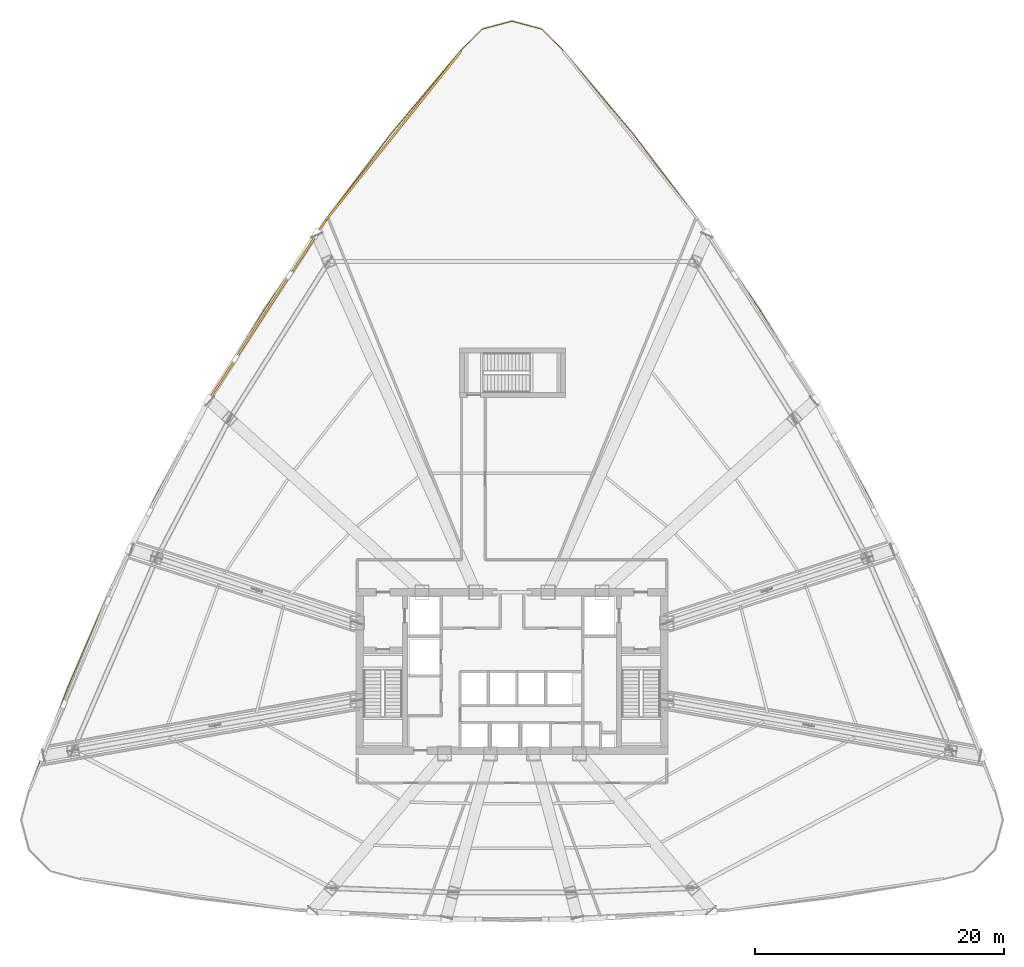
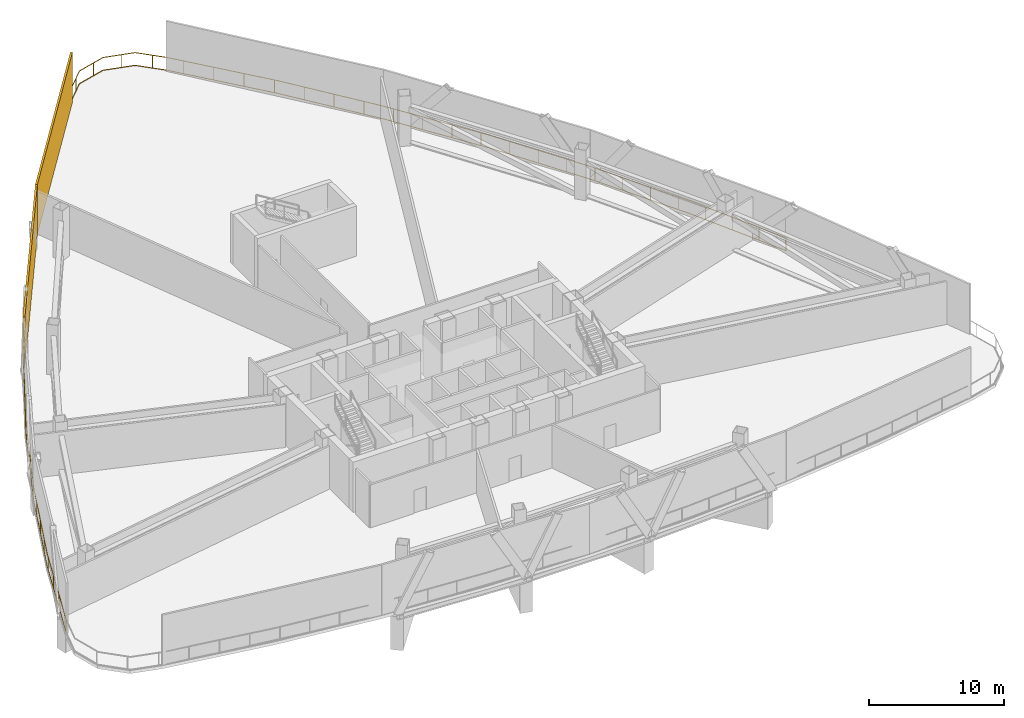
# One storey, part 15 of 17: 2 shading devices, 1 railing.
"""IFC4 building model written with IfcOpenShell, lengths in metres."""

import ifcopenshell
import ifcopenshell.guid

model = None  # the IFC model being written
_history = None  # IfcOwnerHistory: only IFC2X3 demands one
_inside = {}  # id of a spatial element -> (the spatial element, [elements in it])
_under = {}  # id of a project, library or spatial element -> (it, [spatial elements below it])
_declared = {}  # id of a project -> (the project, [libraries it declares])
_typed = {}  # id of a type object -> (the type object, [elements of that type])
_made_of = {}  # id of a material, layer set ... -> (it, [elements and type objects made of it])


def new_model(schema):
    """Start an empty IFC model of exactly this schema.

    Asked for "IFC4X3", IfcOpenShell would pick the latest addendum, in which some entities
    have other attributes; the version numbers below select the first issue.
    IFC2X3 requires an IfcOwnerHistory on every rooted entity: one is made here for all.
    """
    global model, _history
    if schema == "IFC4X3":
        model = ifcopenshell.file(schema_version=(4, 3, 0, 0))
    else:
        model = ifcopenshell.file(schema=schema)
    _inside.clear()
    _under.clear()
    _declared.clear()
    _typed.clear()
    _made_of.clear()
    _history = None
    if model.schema == "IFC2X3":
        org = make("IfcOrganization", Name="unknown")
        user = make(
            "IfcPersonAndOrganization",
            ThePerson=make("IfcPerson", FamilyName="unknown"),
            TheOrganization=org,
        )
        app = make(
            "IfcApplication",
            ApplicationDeveloper=org,
            Version="unknown",
            ApplicationFullName="unknown",
            ApplicationIdentifier="unknown",
        )
        _history = make(
            "IfcOwnerHistory",
            OwningUser=user,
            OwningApplication=app,
            ChangeAction="ADDED",
            CreationDate=0,
        )
    return model


def make(cls, **values):
    """One entity of the class cls with the attributes given. An attribute that is None is left unset."""
    return model.create_entity(
        cls, **{name: value for name, value in values.items() if value is not None}
    )


def rooted(cls, **values):
    """An entity with a GlobalId (a new one), such as an element, a storey or a relation."""
    return make(cls, GlobalId=ifcopenshell.guid.new(), OwnerHistory=_history, **values)


def si_unit(unit_type, name, prefix=None):
    """IfcSIUnit, for example si_unit("LENGTHUNIT", "METRE", prefix="MILLI")."""
    return make("IfcSIUnit", UnitType=unit_type, Prefix=prefix, Name=name)


def assignment(units):
    """IfcUnitAssignment: the units of a project."""
    return None if units is None else make("IfcUnitAssignment", Units=units)


def point(xyz):
    """IfcCartesianPoint."""
    return None if xyz is None else make("IfcCartesianPoint", Coordinates=xyz)


def direction(xyz):
    """IfcDirection."""
    return None if xyz is None else make("IfcDirection", DirectionRatios=xyz)


def frame(location, z_axis=None, x_axis=None):
    """IfcAxis2Placement3D, a coordinate frame: its origin and axes. An axis left out is left unset."""
    return make(
        "IfcAxis2Placement3D",
        Location=point(location),
        Axis=direction(z_axis),
        RefDirection=direction(x_axis),
    )


def frame_2d(location, x_axis=None):
    """IfcAxis2Placement2D, a coordinate frame in the plane: its origin and x axis."""
    return make(
        "IfcAxis2Placement2D", Location=point(location), RefDirection=direction(x_axis)
    )


def origin():
    """The frame at (0, 0, 0) with its axes left unset."""
    return frame((0.0, 0.0, 0.0))


def origin_2d():
    """The frame at (0, 0) in the plane with its x axis left unset."""
    return frame_2d((0.0, 0.0))


def place(relative_to, where):
    """IfcLocalPlacement: puts the frame where relative to a parent placement (None: the world)."""
    return make(
        "IfcLocalPlacement", PlacementRelTo=relative_to, RelativePlacement=where
    )


def context(
    kind, dimensions, precision=None, world=None, true_north=None, identifier=None
):
    """IfcGeometricRepresentationContext, for example the 3D "Model" context."""
    return make(
        "IfcGeometricRepresentationContext",
        ContextIdentifier=identifier,
        ContextType=kind,
        CoordinateSpaceDimension=dimensions,
        Precision=precision,
        WorldCoordinateSystem=world,
        TrueNorth=true_north,
    )


def subcontext(parent, identifier, kind, view, scale=None):
    """IfcGeometricRepresentationSubContext, for example "Body" below "Model"."""
    return make(
        "IfcGeometricRepresentationSubContext",
        ContextIdentifier=identifier,
        ContextType=kind,
        ParentContext=parent,
        TargetScale=scale,
        TargetView=view,
    )


def project(units=None, contexts=None):
    """IfcProject with its units and contexts."""
    return rooted(
        "IfcProject",
        Name="project",
        RepresentationContexts=contexts,
        UnitsInContext=assignment(units),
    )


def spatial(cls, under=None, at=None, **own):
    """A site, building, storey or space (cls), placed at a placement, below another one or the project."""
    s = rooted(cls, ObjectPlacement=at, **own)
    if under is not None:
        _under.setdefault(under.id(), (under, []))[1].append(s)
    return s


def profile(cls, at=None, kind="AREA", **sizes):
    """A parametric profile (cls). Its sizes go by their IFC names, for example OverallWidth=200.0."""
    return make(cls, ProfileType=kind, Position=at, **sizes)


def rectangle(**sizes):
    """IfcRectangleProfileDef."""
    return profile("IfcRectangleProfileDef", **sizes)


def extrude(swept, where, along, depth):
    """IfcExtrudedAreaSolid: the profile swept, set in the frame where, extruded along a direction by depth."""
    return make(
        "IfcExtrudedAreaSolid",
        SweptArea=swept,
        Position=where,
        ExtrudedDirection=direction(along),
        Depth=depth,
    )


def shape(context_of_items, identifier, shape_type, items):
    """IfcShapeRepresentation: the items that make up one representation, for example the "Body"."""
    return make(
        "IfcShapeRepresentation",
        ContextOfItems=context_of_items,
        RepresentationIdentifier=identifier,
        RepresentationType=shape_type,
        Items=items,
    )


def source(mapping_origin, context_of_items, identifier, shape_type, items):
    """IfcRepresentationMap: a shape defined once, which mapped items show again and again."""
    return make(
        "IfcRepresentationMap",
        MappingOrigin=mapping_origin,
        MappedRepresentation=shape(context_of_items, identifier, shape_type, items),
    )


def transform(
    local_origin,
    x_axis=None,
    y_axis=None,
    z_axis=None,
    scale=None,
    scale2=None,
    scale3=None,
    uniform=True,
):
    """IfcCartesianTransformationOperator3D, or its non-uniform kind. x_axis, y_axis, z_axis: its Axis1, 2, 3."""
    if uniform:
        return make(
            "IfcCartesianTransformationOperator3D",
            Axis1=direction(x_axis),
            Axis2=direction(y_axis),
            LocalOrigin=point(local_origin),
            Scale=scale,
            Axis3=direction(z_axis),
        )
    return make(
        "IfcCartesianTransformationOperator3DnonUniform",
        Axis1=direction(x_axis),
        Axis2=direction(y_axis),
        LocalOrigin=point(local_origin),
        Scale=scale,
        Axis3=direction(z_axis),
        Scale2=scale2,
        Scale3=scale3,
    )


def mapped(mapping_source, mapping_target):
    """IfcMappedItem: shows the shape of a source again, moved by a transform."""
    return make(
        "IfcMappedItem", MappingSource=mapping_source, MappingTarget=mapping_target
    )


def material(Name=None, Category=None):
    """IfcMaterial."""
    return make("IfcMaterial", Name=Name, Category=Category)


def layer(
    of_material, thickness, ventilated=None, Name=None, Category=None, Priority=None
):
    """IfcMaterialLayer: one layer of a wall or slab, of a material (None: an air gap)."""
    return make(
        "IfcMaterialLayer",
        Material=of_material,
        LayerThickness=thickness,
        IsVentilated=ventilated,
        Name=Name,
        Category=Category,
        Priority=Priority,
    )


def layer_set(layers, Name=None):
    """IfcMaterialLayerSet."""
    return make("IfcMaterialLayerSet", MaterialLayers=layers, LayerSetName=Name)


def made_of(thing, what):
    """Note that an element or type object is made of a material, layer set ...; save() writes the relation."""
    if what is not None:
        _made_of.setdefault(what.id(), (what, []))[1].append(thing)
    return thing


def type_object(cls, material=None, **own):
    """A type object (cls), such as IfcWallType, which elements share."""
    return made_of(rooted(cls, **own), material)


def element(
    cls,
    number,
    at=None,
    inside=None,
    cuts=None,
    type_object=None,
    material=None,
    context=None,
    identifier="Body",
    shape_type=None,
    held_by="IfcProductDefinitionShape",
    body=None,
    shapes=None,
    **own,
):
    """One element of the class cls, such as IfcWall. Its Tag is "e" and its number.

    at: its placement. inside: the storey or other place that contains it. cuts: it is an
    opening in that element (IfcRelVoidsElement). A single representation is given by context,
    identifier, shape_type and body (its items); several are given by shapes. held_by: the class
    of the entity that holds the representations. save() writes the other relations.
    """
    e = rooted(cls, Tag="e%d" % number, ObjectPlacement=at, **own)
    if body is not None:
        shapes = [shape(context, identifier, shape_type, body)]
    if shapes is not None:
        e.Representation = make(held_by, Representations=shapes)
    if inside is not None:
        _inside.setdefault(inside.id(), (inside, []))[1].append(e)
    if cuts is not None:
        rooted(
            "IfcRelVoidsElement", RelatingBuildingElement=cuts, RelatedOpeningElement=e
        )
    if type_object is not None:
        _typed.setdefault(type_object.id(), (type_object, []))[1].append(e)
    return made_of(e, material)


def aggregate(whole, parts):
    """IfcRelAggregates: a whole, such as a stair, and the parts it consists of."""
    return rooted("IfcRelAggregates", RelatingObject=whole, RelatedObjects=parts)


def save(model, path):
    """Write the relations noted so far, then the file.

    IfcRelAggregates (storeys below a building ...), IfcRelContainedInSpatialStructure (elements
    in a storey), IfcRelDefinesByType, IfcRelAssociatesMaterial and IfcRelDeclares: one each for
    every whole, place, type object, material and project.
    """
    for whole, parts in _under.values():
        aggregate(whole, parts)
    for where, things in _inside.values():
        rooted(
            "IfcRelContainedInSpatialStructure",
            RelatedElements=things,
            RelatingStructure=where,
        )
    for kind, things in _typed.values():
        rooted("IfcRelDefinesByType", RelatedObjects=things, RelatingType=kind)
    for what, things in _made_of.values():
        rooted("IfcRelAssociatesMaterial", RelatedObjects=things, RelatingMaterial=what)
    for by, libraries in _declared.values():
        rooted("IfcRelDeclares", RelatingContext=by, RelatedDefinitions=libraries)
    model.write(path)


model = new_model("IFC4")

# Units and contexts
model_context = context("Model", 3, precision=1e-05, world=origin(), true_north=direction((0.0, 1.0)))
body_context = subcontext(model_context, "Body", "Model", "MODEL_VIEW")
ifc_project = project(units=[si_unit("LENGTHUNIT", "METRE"), si_unit("AREAUNIT", "SQUARE_METRE"), si_unit("VOLUMEUNIT", "CUBIC_METRE"), si_unit("PLANEANGLEUNIT", "RADIAN"), si_unit("MASSUNIT", "GRAM", prefix="KILO"), si_unit("THERMODYNAMICTEMPERATUREUNIT", "KELVIN"), si_unit("POWERUNIT", "WATT")], contexts=[model_context])

# Site, building, storey
site_placement = place(None, origin())
site = spatial("IfcSite", under=ifc_project, at=site_placement, CompositionType="ELEMENT")
building_placement = place(site_placement, origin())
building = spatial("IfcBuilding", under=site, at=building_placement, Name="Yunzhuo Pagoda Commons", CompositionType="ELEMENT")
storey_placement = place(building_placement, frame((0.0, 0.0, 176.159912109375)))
storey = spatial("IfcBuildingStorey", under=building, at=storey_placement, Name="L44", CompositionType="ELEMENT", Elevation=176.159912109375)

# Railing
ifc_material = material(Name="Anodized aluminium 6063-T6", Category="aluminium")
railing_type = type_object("IfcRailingType", Name="RL-PRT1 Wind Portal & Refuge Guardrail 1200", PredefinedType="GUARDRAIL", material=ifc_material)
railing_placement = place(storey_placement, frame((80.223876953125, 40.45458984375, 0.0)))
element("IfcRailing", 1, at=railing_placement, inside=storey, type_object=railing_type, Name="L44 refuge perimeter guardrail B", PredefinedType="GUARDRAIL", context=body_context, shape_type="SweptSolid", body=[
    extrude(rectangle(XDim=0.048095703125, YDim=0.048095703125, at=origin_2d()), frame((0.0, 0.0, 1.17578125), z_axis=(-0.440359754898, 0.897821411121, 0.0), x_axis=(-0.897821411121, -0.440359754898, 0.0)), (0.0, 0.0, 1.0), 8.593994140625),
    extrude(rectangle(XDim=0.048095703125, YDim=0.048095703125, at=origin_2d()), frame((0.0, 0.0, 0.02392578125), z_axis=(-0.440359754898, 0.897821411121, 0.0), x_axis=(-0.897821411121, -0.440359754898, 0.0)), (0.0, 0.0, 1.0), 8.593994140625),
    extrude(rectangle(XDim=0.048095703125, YDim=0.048095703125, at=origin_2d()), frame((-3.784423828125, 7.7158203125, 1.17578125), z_axis=(-0.483202379404, 0.875508686729, 0.0), x_axis=(-0.875508686729, -0.483202379404, 0.0)), (0.0, 0.0, 1.0), 8.568115234375),
    extrude(rectangle(XDim=0.048095703125, YDim=0.048095703125, at=origin_2d()), frame((-3.784423828125, 7.7158203125, 0.02392578125), z_axis=(-0.483202379404, 0.875508686729, 0.0), x_axis=(-0.875508686729, -0.483202379404, 0.0)), (0.0, 0.0, 1.0), 8.568115234375),
    extrude(rectangle(XDim=0.048095703125, YDim=0.048095703125, at=origin_2d()), frame((-7.924560546875, 15.21728515625, 1.17578125), z_axis=(-0.524812661908, 0.851217757041, 0.0), x_axis=(-0.851217757041, -0.524812661908, 0.0)), (0.0, 0.0, 1.0), 8.56787109375),
    extrude(rectangle(XDim=0.048095703125, YDim=0.048095703125, at=origin_2d()), frame((-7.924560546875, 15.21728515625, 0.02392578125), z_axis=(-0.524812661908, 0.851217757041, 0.0), x_axis=(-0.851217757041, -0.524812661908, 0.0)), (0.0, 0.0, 1.0), 8.56787109375),
    extrude(rectangle(XDim=0.048095703125, YDim=0.048095703125, at=origin_2d()), frame((-12.421142578125, 22.510498046875, 1.17578125), z_axis=(-0.565288721675, 0.824893121045, 0.0), x_axis=(-0.824893121045, -0.565288721675, 0.0)), (0.0, 0.0, 1.0), 8.59375),
    extrude(rectangle(XDim=0.048095703125, YDim=0.048095703125, at=origin_2d()), frame((-12.421142578125, 22.510498046875, 0.02392578125), z_axis=(-0.565288721675, 0.824893121045, 0.0), x_axis=(-0.824893121045, -0.565288721675, 0.0)), (0.0, 0.0, 1.0), 8.59375),
    extrude(rectangle(XDim=0.048095703125, YDim=0.048095703125, at=origin_2d()), frame((-17.279052734375, 29.599365234375, 1.17578125), z_axis=(-0.604488509692, 0.796613859816, 0.0), x_axis=(-0.796613859816, -0.604488509692, 0.0)), (0.0, 0.0, 1.0), 8.64111328125),
    extrude(rectangle(XDim=0.048095703125, YDim=0.048095703125, at=origin_2d()), frame((-17.279052734375, 29.599365234375, 0.02392578125), z_axis=(-0.604488509692, 0.796613859816, 0.0), x_axis=(-0.796613859816, -0.604488509692, 0.0)), (0.0, 0.0, 1.0), 8.64111328125),
    extrude(rectangle(XDim=0.048095703125, YDim=0.048095703125, at=origin_2d()), frame((-22.50244140625, 36.48291015625, 1.17578125), z_axis=(-0.64205778453, 0.76665624717, 0.0), x_axis=(-0.76665624717, -0.64205778453, 0.0)), (0.0, 0.0, 1.0), 8.707763671875),
    extrude(rectangle(XDim=0.048095703125, YDim=0.048095703125, at=origin_2d()), frame((-22.50244140625, 36.48291015625, 0.02392578125), z_axis=(-0.64205778453, 0.76665624717, 0.0), x_axis=(-0.76665624717, -0.64205778453, 0.0)), (0.0, 0.0, 1.0), 8.707763671875),
    extrude(rectangle(XDim=0.048095703125, YDim=0.048095703125, at=origin_2d()), frame((-28.09326171875, 43.15869140625, 1.17578125), z_axis=(-0.708885657709, 0.705323418223, 0.0), x_axis=(-0.705323418223, -0.708885657709, 0.0)), (0.0, 0.0, 1.0), 2.46728515625),
    extrude(rectangle(XDim=0.048095703125, YDim=0.048095703125, at=origin_2d()), frame((-28.09326171875, 43.15869140625, 0.02392578125), z_axis=(-0.708885657709, 0.705323418223, 0.0), x_axis=(-0.705323418223, -0.708885657709, 0.0)), (0.0, 0.0, 1.0), 2.46728515625),
    extrude(rectangle(XDim=0.048095703125, YDim=0.048095703125, at=origin_2d()), frame((-29.84228515625, 44.89892578125, 1.17578125), z_axis=(-0.966095078867, 0.258186557725, 0.0), x_axis=(-0.258186557725, -0.966095078867, 0.0)), (0.0, 0.0, 1.0), 2.465087890625),
    extrude(rectangle(XDim=0.048095703125, YDim=0.048095703125, at=origin_2d()), frame((-29.84228515625, 44.89892578125, 0.02392578125), z_axis=(-0.966095078867, 0.258186557725, 0.0), x_axis=(-0.258186557725, -0.966095078867, 0.0)), (0.0, 0.0, 1.0), 2.465087890625),
    extrude(rectangle(XDim=0.048095703125, YDim=0.048095703125, at=origin_2d()), frame((-32.223876953125, 45.535400390625, 1.17578125), z_axis=(-0.966095078867, -0.258186557725, 0.0), x_axis=(0.258186557725, -0.966095078867, 0.0)), (0.0, 0.0, 1.0), 2.465087890625),
    extrude(rectangle(XDim=0.048095703125, YDim=0.048095703125, at=origin_2d()), frame((-32.223876953125, 45.535400390625, 0.02392578125), z_axis=(-0.966095078867, -0.258186557725, 0.0), x_axis=(0.258186557725, -0.966095078867, 0.0)), (0.0, 0.0, 1.0), 2.465087890625),
    extrude(rectangle(XDim=0.048095703125, YDim=0.048095703125, at=origin_2d()), frame((-34.60546875, 44.89892578125, 1.17578125), z_axis=(-0.708885657709, -0.705323418223, 0.0), x_axis=(0.705323418223, -0.708885657709, 0.0)), (0.0, 0.0, 1.0), 2.46728515625),
    extrude(rectangle(XDim=0.048095703125, YDim=0.048095703125, at=origin_2d()), frame((-34.60546875, 44.89892578125, 0.02392578125), z_axis=(-0.708885657709, -0.705323418223, 0.0), x_axis=(0.705323418223, -0.708885657709, 0.0)), (0.0, 0.0, 1.0), 2.46728515625),
    extrude(rectangle(XDim=0.048095703125, YDim=0.048095703125, at=origin_2d()), frame((-36.3544921875, 43.15869140625, 1.17578125), z_axis=(-0.64205778453, -0.76665624717, 0.0), x_axis=(0.76665624717, -0.64205778453, 0.0)), (0.0, 0.0, 1.0), 8.707763671875),
    extrude(rectangle(XDim=0.048095703125, YDim=0.048095703125, at=origin_2d()), frame((-36.3544921875, 43.15869140625, 0.02392578125), z_axis=(-0.64205778453, -0.76665624717, 0.0), x_axis=(0.76665624717, -0.64205778453, 0.0)), (0.0, 0.0, 1.0), 8.707763671875),
    extrude(rectangle(XDim=0.048095703125, YDim=0.048095703125, at=origin_2d()), frame((-41.9453125, 36.48291015625, 1.17578125), z_axis=(-0.604488509692, -0.796613859816, 0.0), x_axis=(0.796613859816, -0.604488509692, 0.0)), (0.0, 0.0, 1.0), 8.64111328125),
    extrude(rectangle(XDim=0.048095703125, YDim=0.048095703125, at=origin_2d()), frame((-41.9453125, 36.48291015625, 0.02392578125), z_axis=(-0.604488509692, -0.796613859816, 0.0), x_axis=(0.796613859816, -0.604488509692, 0.0)), (0.0, 0.0, 1.0), 8.64111328125),
    extrude(rectangle(XDim=0.048095703125, YDim=0.048095703125, at=origin_2d()), frame((-47.168701171875, 29.599365234375, 1.17578125), z_axis=(-0.565288721675, -0.824893121045, 0.0), x_axis=(0.824893121045, -0.565288721675, 0.0)), (0.0, 0.0, 1.0), 8.59375),
    extrude(rectangle(XDim=0.048095703125, YDim=0.048095703125, at=origin_2d()), frame((-47.168701171875, 29.599365234375, 0.02392578125), z_axis=(-0.565288721675, -0.824893121045, 0.0), x_axis=(0.824893121045, -0.565288721675, 0.0)), (0.0, 0.0, 1.0), 8.59375),
    extrude(rectangle(XDim=0.048095703125, YDim=0.048095703125, at=origin_2d()), frame((-52.026611328125, 22.510498046875, 1.17578125), z_axis=(-0.524812661908, -0.851217757041, 0.0), x_axis=(0.851217757041, -0.524812661908, 0.0)), (0.0, 0.0, 1.0), 8.56787109375),
    extrude(rectangle(XDim=0.048095703125, YDim=0.048095703125, at=origin_2d()), frame((-52.026611328125, 22.510498046875, 0.02392578125), z_axis=(-0.524812661908, -0.851217757041, 0.0), x_axis=(0.851217757041, -0.524812661908, 0.0)), (0.0, 0.0, 1.0), 8.56787109375),
    extrude(rectangle(XDim=0.048095703125, YDim=0.048095703125, at=origin_2d()), frame((-56.523193359375, 15.21728515625, 1.17578125), z_axis=(-0.483202379404, -0.875508686729, 0.0), x_axis=(0.875508686729, -0.483202379404, 0.0)), (0.0, 0.0, 1.0), 8.568115234375),
    extrude(rectangle(XDim=0.048095703125, YDim=0.048095703125, at=origin_2d()), frame((-56.523193359375, 15.21728515625, 0.02392578125), z_axis=(-0.483202379404, -0.875508686729, 0.0), x_axis=(0.875508686729, -0.483202379404, 0.0)), (0.0, 0.0, 1.0), 8.568115234375),
    extrude(rectangle(XDim=0.048095703125, YDim=0.048095703125, at=origin_2d()), frame((-60.663330078125, 7.7158203125, 1.17578125), z_axis=(-0.440359754898, -0.897821411121, 0.0), x_axis=(0.897821411121, -0.440359754898, 0.0)), (0.0, 0.0, 1.0), 8.593994140625),
    extrude(rectangle(XDim=0.048095703125, YDim=0.048095703125, at=origin_2d()), frame((-60.663330078125, 7.7158203125, 0.02392578125), z_axis=(-0.440359754898, -0.897821411121, 0.0), x_axis=(0.897821411121, -0.440359754898, 0.0)), (0.0, 0.0, 1.0), 8.593994140625),
    extrude(rectangle(XDim=0.048095703125, YDim=0.048095703125, at=origin_2d()), frame((-64.44775390625, 0.0, 1.17578125), z_axis=(-0.396413827287, -0.918071934837, 0.0), x_axis=(0.918071934837, -0.396413827287, 0.0)), (0.0, 0.0, 1.0), 8.641357421875),
    extrude(rectangle(XDim=0.048095703125, YDim=0.048095703125, at=origin_2d()), frame((-64.44775390625, 0.0, 0.02392578125), z_axis=(-0.396413827287, -0.918071934837, 0.0), x_axis=(0.918071934837, -0.396413827287, 0.0)), (0.0, 0.0, 1.0), 8.641357421875),
    extrude(rectangle(XDim=0.048095703125, YDim=0.048095703125, at=origin_2d()), frame((-67.873291015625, -7.933349609375, 1.17578125), z_axis=(-0.351867568634, -0.936049792556, 0.0), x_axis=(0.936049792556, -0.351867568634, 0.0)), (0.0, 0.0, 1.0), 8.6279296875),
    extrude(rectangle(XDim=0.048095703125, YDim=0.048095703125, at=origin_2d()), frame((-67.873291015625, -7.933349609375, 0.02392578125), z_axis=(-0.351867568634, -0.936049792556, 0.0), x_axis=(0.936049792556, -0.351867568634, 0.0)), (0.0, 0.0, 1.0), 8.6279296875),
    extrude(rectangle(XDim=0.0419921875, YDim=0.0419921875, at=origin_2d()), origin(), (0.0, 0.0, 1.0), 1.15185546875),
    extrude(rectangle(XDim=0.0419921875, YDim=0.0419921875, at=origin_2d()), frame((-1.056884765625, 2.15478515625, 0.0)), (0.0, 0.0, 1.0), 1.15185546875),
    extrude(rectangle(XDim=0.0419921875, YDim=0.0419921875, at=origin_2d()), frame((-2.11376953125, 4.3095703125, 0.0)), (0.0, 0.0, 1.0), 1.15185546875),
    extrude(rectangle(XDim=0.0419921875, YDim=0.0419921875, at=origin_2d()), frame((-3.170654296875, 6.46435546875, 0.0)), (0.0, 0.0, 1.0), 1.15185546875),
    extrude(rectangle(XDim=0.0419921875, YDim=0.0419921875, at=origin_2d()), frame((-4.2705078125, 8.5966796875, 0.0)), (0.0, 0.0, 1.0), 1.15185546875),
    extrude(rectangle(XDim=0.0419921875, YDim=0.0419921875, at=origin_2d()), frame((-5.43017578125, 10.69775390625, 0.0)), (0.0, 0.0, 1.0), 1.15185546875),
    extrude(rectangle(XDim=0.0419921875, YDim=0.0419921875, at=origin_2d()), frame((-6.58984375, 12.799072265625, 0.0)), (0.0, 0.0, 1.0), 1.15185546875),
    extrude(rectangle(XDim=0.0419921875, YDim=0.0419921875, at=origin_2d()), frame((-7.74951171875, 14.900390625, 0.0)), (0.0, 0.0, 1.0), 1.15185546875),
    extrude(rectangle(XDim=0.0419921875, YDim=0.0419921875, at=origin_2d()), frame((-8.994140625, 16.951904296875, 0.0)), (0.0, 0.0, 1.0), 1.15185546875),
    extrude(rectangle(XDim=0.0419921875, YDim=0.0419921875, at=origin_2d()), frame((-10.253662109375, 18.994873046875, 0.0)), (0.0, 0.0, 1.0), 1.15185546875),
    extrude(rectangle(XDim=0.0419921875, YDim=0.0419921875, at=origin_2d()), frame((-11.51318359375, 21.037841796875, 0.0)), (0.0, 0.0, 1.0), 1.15185546875),
    extrude(rectangle(XDim=0.0419921875, YDim=0.0419921875, at=origin_2d()), frame((-12.7998046875, 23.063232421875, 0.0)), (0.0, 0.0, 1.0), 1.15185546875),
    extrude(rectangle(XDim=0.0419921875, YDim=0.0419921875, at=origin_2d()), frame((-14.156494140625, 25.04296875, 0.0)), (0.0, 0.0, 1.0), 1.15185546875),
    extrude(rectangle(XDim=0.0419921875, YDim=0.0419921875, at=origin_2d()), frame((-15.51318359375, 27.022705078125, 0.0)), (0.0, 0.0, 1.0), 1.15185546875),
    extrude(rectangle(XDim=0.0419921875, YDim=0.0419921875, at=origin_2d()), frame((-16.869873046875, 29.00244140625, 0.0)), (0.0, 0.0, 1.0), 1.15185546875),
    extrude(rectangle(XDim=0.0419921875, YDim=0.0419921875, at=origin_2d()), frame((-18.292236328125, 30.934814453125, 0.0)), (0.0, 0.0, 1.0), 1.15185546875),
    extrude(rectangle(XDim=0.0419921875, YDim=0.0419921875, at=origin_2d()), frame((-19.7431640625, 32.8466796875, 0.0)), (0.0, 0.0, 1.0), 1.15185546875),
    extrude(rectangle(XDim=0.0419921875, YDim=0.0419921875, at=origin_2d()), frame((-21.19384765625, 34.758544921875, 0.0)), (0.0, 0.0, 1.0), 1.15185546875),
    extrude(rectangle(XDim=0.0419921875, YDim=0.0419921875, at=origin_2d()), frame((-22.653564453125, 36.663330078125, 0.0)), (0.0, 0.0, 1.0), 1.15185546875),
    extrude(rectangle(XDim=0.0419921875, YDim=0.0419921875, at=origin_2d()), frame((-24.1943359375, 38.503173828125, 0.0)), (0.0, 0.0, 1.0), 1.15185546875),
    extrude(rectangle(XDim=0.0419921875, YDim=0.0419921875, at=origin_2d()), frame((-25.7353515625, 40.34326171875, 0.0)), (0.0, 0.0, 1.0), 1.15185546875),
    extrude(rectangle(XDim=0.0419921875, YDim=0.0419921875, at=origin_2d()), frame((-27.2763671875, 42.18310546875, 0.0)), (0.0, 0.0, 1.0), 1.15185546875),
    extrude(rectangle(XDim=0.0419921875, YDim=0.0419921875, at=origin_2d()), frame((-28.892578125, 43.9541015625, 0.0)), (0.0, 0.0, 1.0), 1.15185546875),
    extrude(rectangle(XDim=0.0419921875, YDim=0.0419921875, at=origin_2d()), frame((-30.86669921875, 45.172607421875, 0.0)), (0.0, 0.0, 1.0), 1.15185546875),
    extrude(rectangle(XDim=0.0419921875, YDim=0.0419921875, at=origin_2d()), frame((-33.185302734375, 45.278564453125, 0.0)), (0.0, 0.0, 1.0), 1.15185546875),
    extrude(rectangle(XDim=0.0419921875, YDim=0.0419921875, at=origin_2d()), frame((-35.2646484375, 44.242919921875, 0.0)), (0.0, 0.0, 1.0), 1.15185546875),
    extrude(rectangle(XDim=0.0419921875, YDim=0.0419921875, at=origin_2d()), frame((-36.908447265625, 42.497314453125, 0.0)), (0.0, 0.0, 1.0), 1.15185546875),
    extrude(rectangle(XDim=0.0419921875, YDim=0.0419921875, at=origin_2d()), frame((-38.44921875, 40.6572265625, 0.0)), (0.0, 0.0, 1.0), 1.15185546875),
    extrude(rectangle(XDim=0.0419921875, YDim=0.0419921875, at=origin_2d()), frame((-39.990234375, 38.8173828125, 0.0)), (0.0, 0.0, 1.0), 1.15185546875),
    extrude(rectangle(XDim=0.0419921875, YDim=0.0419921875, at=origin_2d()), frame((-41.53125, 36.977294921875, 0.0)), (0.0, 0.0, 1.0), 1.15185546875),
    extrude(rectangle(XDim=0.0419921875, YDim=0.0419921875, at=origin_2d()), frame((-43.006103515625, 35.084716796875, 0.0)), (0.0, 0.0, 1.0), 1.15185546875),
    extrude(rectangle(XDim=0.0419921875, YDim=0.0419921875, at=origin_2d()), frame((-44.45703125, 33.1728515625, 0.0)), (0.0, 0.0, 1.0), 1.15185546875),
    extrude(rectangle(XDim=0.0419921875, YDim=0.0419921875, at=origin_2d()), frame((-45.90771484375, 31.260986328125, 0.0)), (0.0, 0.0, 1.0), 1.15185546875),
    extrude(rectangle(XDim=0.0419921875, YDim=0.0419921875, at=origin_2d()), frame((-47.34619140625, 29.34033203125, 0.0)), (0.0, 0.0, 1.0), 1.15185546875),
    extrude(rectangle(XDim=0.0419921875, YDim=0.0419921875, at=origin_2d()), frame((-48.702880859375, 27.360595703125, 0.0)), (0.0, 0.0, 1.0), 1.15185546875),
    extrude(rectangle(XDim=0.0419921875, YDim=0.0419921875, at=origin_2d()), frame((-50.0595703125, 25.380859375, 0.0)), (0.0, 0.0, 1.0), 1.15185546875),
    extrude(rectangle(XDim=0.0419921875, YDim=0.0419921875, at=origin_2d()), frame((-51.416259765625, 23.401123046875, 0.0)), (0.0, 0.0, 1.0), 1.15185546875),
    extrude(rectangle(XDim=0.0419921875, YDim=0.0419921875, at=origin_2d()), frame((-52.719482421875, 21.386474609375, 0.0)), (0.0, 0.0, 1.0), 1.15185546875),
    extrude(rectangle(XDim=0.0419921875, YDim=0.0419921875, at=origin_2d()), frame((-53.97900390625, 19.34375, 0.0)), (0.0, 0.0, 1.0), 1.15185546875),
    extrude(rectangle(XDim=0.0419921875, YDim=0.0419921875, at=origin_2d()), frame((-55.23876953125, 17.30078125, 0.0)), (0.0, 0.0, 1.0), 1.15185546875),
    extrude(rectangle(XDim=0.0419921875, YDim=0.0419921875, at=origin_2d()), frame((-57.659912109375, 13.15771484375, 0.0)), (0.0, 0.0, 1.0), 1.15185546875),
    extrude(rectangle(XDim=0.0419921875, YDim=0.0419921875, at=origin_2d()), frame((-58.819580078125, 11.056640625, 0.0)), (0.0, 0.0, 1.0), 1.15185546875),
    extrude(rectangle(XDim=0.0419921875, YDim=0.0419921875, at=origin_2d()), frame((-59.979248046875, 8.955322265625, 0.0)), (0.0, 0.0, 1.0), 1.15185546875),
    extrude(rectangle(XDim=0.0419921875, YDim=0.0419921875, at=origin_2d()), frame((-61.0966796875, 6.83203125, 0.0)), (0.0, 0.0, 1.0), 1.15185546875),
    extrude(rectangle(XDim=0.0419921875, YDim=0.0419921875, at=origin_2d()), frame((-62.153564453125, 4.67724609375, 0.0)), (0.0, 0.0, 1.0), 1.15185546875),
    extrude(rectangle(XDim=0.0419921875, YDim=0.0419921875, at=origin_2d()), frame((-63.21044921875, 2.522705078125, 0.0)), (0.0, 0.0, 1.0), 1.15185546875),
    extrude(rectangle(XDim=0.0419921875, YDim=0.0419921875, at=origin_2d()), frame((-64.267333984375, 0.367919921875, 0.0)), (0.0, 0.0, 1.0), 1.15185546875),
    extrude(rectangle(XDim=0.0419921875, YDim=0.0419921875, at=origin_2d()), frame((-65.23681640625, -1.8271484375, 0.0)), (0.0, 0.0, 1.0), 1.15185546875),
    extrude(rectangle(XDim=0.0419921875, YDim=0.0419921875, at=origin_2d()), frame((-66.188232421875, -4.030517578125, 0.0)), (0.0, 0.0, 1.0), 1.15185546875),
    extrude(rectangle(XDim=0.0419921875, YDim=0.0419921875, at=origin_2d()), frame((-67.1396484375, -6.23388671875, 0.0)), (0.0, 0.0, 1.0), 1.15185546875),
    extrude(rectangle(XDim=0.0419921875, YDim=0.0419921875, at=origin_2d()), frame((-68.06640625, -8.447265625, 0.0)), (0.0, 0.0, 1.0), 1.15185546875),
    extrude(rectangle(XDim=0.0419921875, YDim=0.0419921875, at=origin_2d()), frame((-68.910888671875, -10.69384765625, 0.0)), (0.0, 0.0, 1.0), 1.15185546875),
    extrude(rectangle(XDim=0.0419921875, YDim=0.0419921875, at=origin_2d()), frame((-69.75537109375, -12.940185546875, 0.0)), (0.0, 0.0, 1.0), 1.15185546875),
    extrude(rectangle(XDim=0.0419921875, YDim=0.0419921875, at=origin_2d()), frame((-70.599853515625, -15.186767578125, 0.0)), (0.0, 0.0, 1.0), 1.15185546875),
    extrude(rectangle(XDim=0.0419921875, YDim=0.0419921875, at=origin_2d()), frame((-70.9091796875, -16.009521484375, 0.0)), (0.0, 0.0, 1.0), 1.15185546875),
])

# Shading devices
ifc_layer = layer(ifc_material, 0.159912109375)
ifc_layer_set = layer_set([ifc_layer], Name="Anodized aluminium 6063-T6")
shading_device_type = type_object("IfcShadingDeviceType", Name="SH-SCR1 Stormproof Refuge Louvre Screen", PredefinedType="JALOUSIE", material=ifc_layer_set)
shared_shape_1 = source(origin(), body_context, "Body", "SweptSolid", [
    extrude(rectangle(XDim=17.1708984375, YDim=0.159912109375, at=origin_2d()), origin(), (0.0, 0.0, 1.0), 4.5400390625),
])
shading_device_1_placement = place(storey_placement, frame((28.41162109375, 62.866455078125, 0.0), z_axis=(0.0, 0.0, 1.0), x_axis=(-0.545838756973, -0.837890238269, 0.0)))
element("IfcShadingDevice", 2, at=shading_device_1_placement, inside=storey, type_object=shading_device_type, Name="L44 stormproof refuge louvre screen F3.2", PredefinedType="JALOUSIE", context=body_context, shape_type="MappedRepresentation", body=[
    mapped(shared_shape_1, transform((0.0, 0.0, 0.0), scale=1.0)),
])
shared_shape_2 = source(origin(), body_context, "Body", "SweptSolid", [
    extrude(rectangle(XDim=17.33544921875, YDim=0.159912109375, at=origin_2d()), origin(), (0.0, 0.0, 1.0), 4.5400390625),
])
shading_device_2_placement = place(storey_placement, frame((38.52783203125, 76.8525390625, 0.0), z_axis=(0.0, 0.0, 1.0), x_axis=(-0.624520471688, -0.781008438138, 0.0)))
element("IfcShadingDevice", 3, at=shading_device_2_placement, inside=storey, type_object=shading_device_type, Name="L44 stormproof refuge louvre screen F3.1", PredefinedType="JALOUSIE", context=body_context, shape_type="MappedRepresentation", body=[
    mapped(shared_shape_2, transform((0.0, 0.0, 0.0), scale=1.0)),
])

save(model, "model.ifc")
